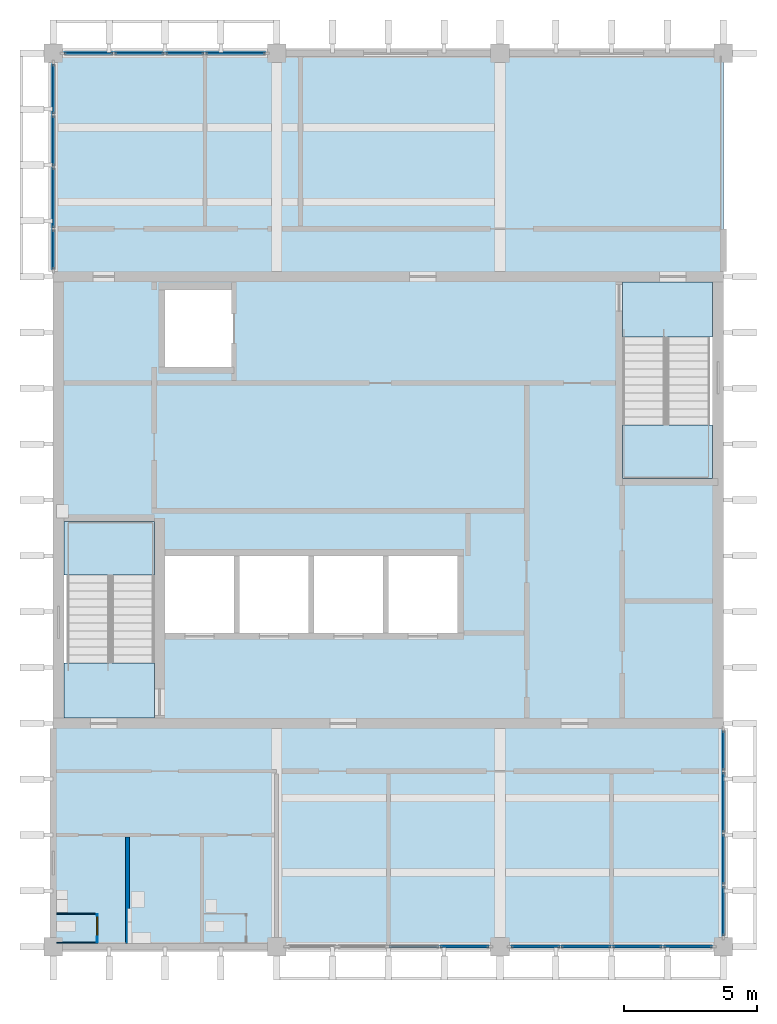
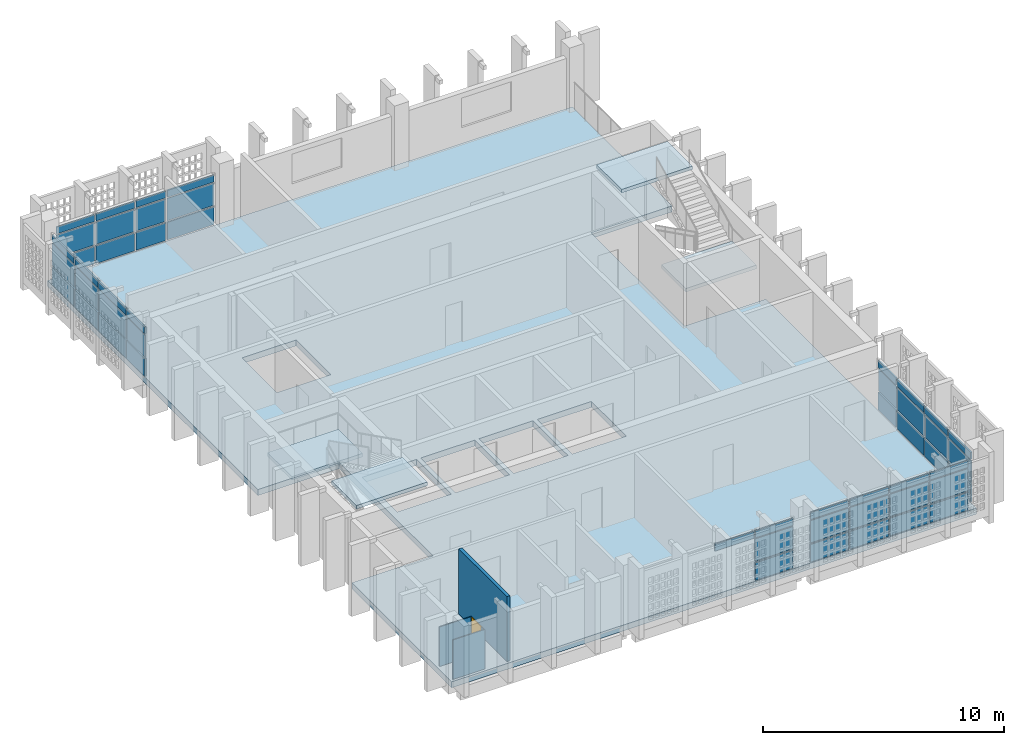
# One storey, part 3 of 13: 52 plates, 5 slabs, 4 walls, 1 door, 1 opening, 7 elements without a shape of their own.
"""IFC4 building model written with IfcOpenShell, lengths in metres."""

from ifc_helpers import new_model, si_unit, direction, frame, frame_2d, origin, origin_2d, place, context, subcontext, project, spatial, polyline, rectangle, outline, extrude, material, layer, layer_set, type_object, element, fill, aggregate, save


model = new_model("IFC4")

# Units and contexts
model_context = context("Model", 3, precision=1e-05, world=origin(), true_north=direction((0.0, 1.0)))
body_context = subcontext(model_context, "Body", "Model", "MODEL_VIEW")
ifc_project = project(units=[si_unit("LENGTHUNIT", "METRE"), si_unit("AREAUNIT", "SQUARE_METRE"), si_unit("VOLUMEUNIT", "CUBIC_METRE"), si_unit("PLANEANGLEUNIT", "RADIAN"), si_unit("MASSUNIT", "GRAM", prefix="KILO")], contexts=[model_context])

# Site, building, storey
site_placement = place(None, origin())
site = spatial("IfcSite", under=ifc_project, at=site_placement, CompositionType="ELEMENT")
building_placement = place(site_placement, origin())
building = spatial("IfcBuilding", under=site, at=building_placement, Name="Rulbaag Community and Learning Centre", CompositionType="ELEMENT")
storey_placement = place(building_placement, frame((0.0, 0.0, 54.0)))
storey = spatial("IfcBuildingStorey", under=building, at=storey_placement, Name="L14", CompositionType="ELEMENT", Elevation=54.0)

# Curtain wall, plates
ifc_material_1 = material(Name="Aluminium", Category="aluminium")
ifc_layer_1 = layer(ifc_material_1, 0.14990234375)
ifc_layer_set_1 = layer_set([ifc_layer_1], Name="CW-C")
curtain_wall_type = type_object("IfcCurtainWallType", Name="CW-C", PredefinedType="USERDEFINED", material=ifc_layer_set_1)
curtain_wall_1_placement = place(storey_placement, origin())
curtain_wall_1 = element("IfcCurtainWall", 1, at=curtain_wall_1_placement, inside=storey, type_object=curtain_wall_type, Name="GC-L14-01", ObjectType="UNITISED CURTAIN WALL", PredefinedType="USERDEFINED")
ifc_layer_2 = layer(ifc_material_1, 0.070068359375)
ifc_layer_set_2 = layer_set([ifc_layer_2], Name="CW-C-SPN")
plate_type_1 = type_object("IfcPlateType", Name="CW-C-SPN", PredefinedType="CURTAIN_PANEL", material=ifc_layer_set_2)
plate_1_placement = place(storey_placement, frame((156.362548828125, 84.0, 2.23486328125), z_axis=(0.0, 0.0, 1.0), x_axis=(1.0, 0.0, 0.0)))
plate_1 = element("IfcPlate", 2, at=plate_1_placement, type_object=plate_type_1, Name="GC spandrel panel", PredefinedType="CURTAIN_PANEL", context=body_context, shape_type="SweptSolid", body=[
    extrude(rectangle(XDim=1.85498046875, YDim=0.070068359375, at=origin_2d()), origin(), (0.0, 0.0, 1.0), 0.344970703125),
])
plate_2_placement = place(storey_placement, frame((158.27001953125, 84.0, 0.070068359375), z_axis=(0.0, 0.0, 1.0), x_axis=(1.0, 0.0, 0.0)))
plate_2 = element("IfcPlate", 3, at=plate_2_placement, type_object=plate_type_1, Name="GC spandrel panel", PredefinedType="CURTAIN_PANEL", context=body_context, shape_type="SweptSolid", body=[
    extrude(rectangle(XDim=1.820068359375, YDim=0.070068359375, at=origin_2d()), origin(), (0.0, 0.0, 1.0), 0.89501953125),
])
plate_3_placement = place(storey_placement, frame((158.27001953125, 84.0, 2.23486328125), z_axis=(0.0, 0.0, 1.0), x_axis=(1.0, 0.0, 0.0)))
plate_3 = element("IfcPlate", 4, at=plate_3_placement, type_object=plate_type_1, Name="GC spandrel panel", PredefinedType="CURTAIN_PANEL", context=body_context, shape_type="SweptSolid", body=[
    extrude(rectangle(XDim=1.820068359375, YDim=0.070068359375, at=origin_2d()), origin(), (0.0, 0.0, 1.0), 0.344970703125),
])

curtain_wall_2_placement = place(storey_placement, origin())
curtain_wall_2 = element("IfcCurtainWall", 5, at=curtain_wall_2_placement, inside=storey, type_object=curtain_wall_type, Name="GC-L14-02", ObjectType="UNITISED CURTAIN WALL", PredefinedType="USERDEFINED")
plate_4_placement = place(storey_placement, frame((160.929931640625, 84.0, 0.070068359375), z_axis=(0.0, 0.0, 1.0), x_axis=(1.0, 0.0, 0.0)))
plate_4 = element("IfcPlate", 6, at=plate_4_placement, type_object=plate_type_1, Name="GC spandrel panel", PredefinedType="CURTAIN_PANEL", context=body_context, shape_type="SweptSolid", body=[
    extrude(rectangle(XDim=1.820068359375, YDim=0.070068359375, at=origin_2d()), origin(), (0.0, 0.0, 1.0), 0.89501953125),
])
plate_5_placement = place(storey_placement, frame((160.929931640625, 84.0, 2.23486328125), z_axis=(0.0, 0.0, 1.0), x_axis=(1.0, 0.0, 0.0)))
plate_5 = element("IfcPlate", 7, at=plate_5_placement, type_object=plate_type_1, Name="GC spandrel panel", PredefinedType="CURTAIN_PANEL", context=body_context, shape_type="SweptSolid", body=[
    extrude(rectangle(XDim=1.820068359375, YDim=0.070068359375, at=origin_2d()), origin(), (0.0, 0.0, 1.0), 0.344970703125),
])
plate_6_placement = place(storey_placement, frame((162.83740234375, 84.0, 0.070068359375), z_axis=(0.0, 0.0, 1.0), x_axis=(1.0, 0.0, 0.0)))
plate_6 = element("IfcPlate", 8, at=plate_6_placement, type_object=plate_type_1, Name="GC spandrel panel", PredefinedType="CURTAIN_PANEL", context=body_context, shape_type="SweptSolid", body=[
    extrude(rectangle(XDim=1.85498046875, YDim=0.070068359375, at=origin_2d()), origin(), (0.0, 0.0, 1.0), 0.89501953125),
])
plate_7_placement = place(storey_placement, frame((162.83740234375, 84.0, 2.23486328125), z_axis=(0.0, 0.0, 1.0), x_axis=(1.0, 0.0, 0.0)))
plate_7 = element("IfcPlate", 9, at=plate_7_placement, type_object=plate_type_1, Name="GC spandrel panel", PredefinedType="CURTAIN_PANEL", context=body_context, shape_type="SweptSolid", body=[
    extrude(rectangle(XDim=1.85498046875, YDim=0.070068359375, at=origin_2d()), origin(), (0.0, 0.0, 1.0), 0.344970703125),
])
plate_8_placement = place(storey_placement, frame((164.762451171875, 84.0, 0.070068359375), z_axis=(0.0, 0.0, 1.0), x_axis=(1.0, 0.0, 0.0)))
plate_8 = element("IfcPlate", 10, at=plate_8_placement, type_object=plate_type_1, Name="GC spandrel panel", PredefinedType="CURTAIN_PANEL", context=body_context, shape_type="SweptSolid", body=[
    extrude(rectangle(XDim=1.85498046875, YDim=0.070068359375, at=origin_2d()), origin(), (0.0, 0.0, 1.0), 0.89501953125),
])
plate_9_placement = place(storey_placement, frame((164.762451171875, 84.0, 2.23486328125), z_axis=(0.0, 0.0, 1.0), x_axis=(1.0, 0.0, 0.0)))
plate_9 = element("IfcPlate", 11, at=plate_9_placement, type_object=plate_type_1, Name="GC spandrel panel", PredefinedType="CURTAIN_PANEL", context=body_context, shape_type="SweptSolid", body=[
    extrude(rectangle(XDim=1.85498046875, YDim=0.070068359375, at=origin_2d()), origin(), (0.0, 0.0, 1.0), 0.344970703125),
])
plate_10_placement = place(storey_placement, frame((166.669921875, 84.0, 0.070068359375), z_axis=(0.0, 0.0, 1.0), x_axis=(1.0, 0.0, 0.0)))
plate_10 = element("IfcPlate", 12, at=plate_10_placement, type_object=plate_type_1, Name="GC spandrel panel", PredefinedType="CURTAIN_PANEL", context=body_context, shape_type="SweptSolid", body=[
    extrude(rectangle(XDim=1.820068359375, YDim=0.070068359375, at=origin_2d()), origin(), (0.0, 0.0, 1.0), 0.89501953125),
])
plate_11_placement = place(storey_placement, frame((166.669921875, 84.0, 2.23486328125), z_axis=(0.0, 0.0, 1.0), x_axis=(1.0, 0.0, 0.0)))
plate_11 = element("IfcPlate", 13, at=plate_11_placement, type_object=plate_type_1, Name="GC spandrel panel", PredefinedType="CURTAIN_PANEL", context=body_context, shape_type="SweptSolid", body=[
    extrude(rectangle(XDim=1.820068359375, YDim=0.070068359375, at=origin_2d()), origin(), (0.0, 0.0, 1.0), 0.344970703125),
])

curtain_wall_3_placement = place(storey_placement, origin())
curtain_wall_3 = element("IfcCurtainWall", 14, at=curtain_wall_3_placement, inside=storey, type_object=curtain_wall_type, Name="GC-L14-03", ObjectType="UNITISED CURTAIN WALL", PredefinedType="USERDEFINED")
plate_12_placement = place(storey_placement, frame((144.1298828125, 117.60009765625, 0.070068359375), z_axis=(0.0, 0.0, 1.0), x_axis=(1.0, 0.0, 0.0)))
plate_12 = element("IfcPlate", 15, at=plate_12_placement, type_object=plate_type_1, Name="GC spandrel panel", PredefinedType="CURTAIN_PANEL", context=body_context, shape_type="SweptSolid", body=[
    extrude(rectangle(XDim=1.820068359375, YDim=0.070068359375, at=origin_2d()), origin(), (0.0, 0.0, 1.0), 0.89501953125),
])
plate_13_placement = place(storey_placement, frame((144.1298828125, 117.60009765625, 2.23486328125), z_axis=(0.0, 0.0, 1.0), x_axis=(1.0, 0.0, 0.0)))
plate_13 = element("IfcPlate", 16, at=plate_13_placement, type_object=plate_type_1, Name="GC spandrel panel", PredefinedType="CURTAIN_PANEL", context=body_context, shape_type="SweptSolid", body=[
    extrude(rectangle(XDim=1.820068359375, YDim=0.070068359375, at=origin_2d()), origin(), (0.0, 0.0, 1.0), 0.344970703125),
])
plate_14_placement = place(storey_placement, frame((146.03759765625, 117.60009765625, 0.070068359375), z_axis=(0.0, 0.0, 1.0), x_axis=(1.0, 0.0, 0.0)))
plate_14 = element("IfcPlate", 17, at=plate_14_placement, type_object=plate_type_1, Name="GC spandrel panel", PredefinedType="CURTAIN_PANEL", context=body_context, shape_type="SweptSolid", body=[
    extrude(rectangle(XDim=1.85498046875, YDim=0.070068359375, at=origin_2d()), origin(), (0.0, 0.0, 1.0), 0.89501953125),
])
plate_15_placement = place(storey_placement, frame((146.03759765625, 117.60009765625, 2.23486328125), z_axis=(0.0, 0.0, 1.0), x_axis=(1.0, 0.0, 0.0)))
plate_15 = element("IfcPlate", 18, at=plate_15_placement, type_object=plate_type_1, Name="GC spandrel panel", PredefinedType="CURTAIN_PANEL", context=body_context, shape_type="SweptSolid", body=[
    extrude(rectangle(XDim=1.85498046875, YDim=0.070068359375, at=origin_2d()), origin(), (0.0, 0.0, 1.0), 0.344970703125),
])
plate_16_placement = place(storey_placement, frame((147.75, 117.60009765625, 0.070068359375), z_axis=(0.0, 0.0, 1.0), x_axis=(1.0, 0.0, 0.0)))
plate_16 = element("IfcPlate", 19, at=plate_16_placement, type_object=plate_type_1, Name="GC spandrel panel", PredefinedType="CURTAIN_PANEL", context=body_context, shape_type="SweptSolid", body=[
    extrude(rectangle(XDim=1.429931640625, YDim=0.070068359375, at=origin_2d()), origin(), (0.0, 0.0, 1.0), 0.89501953125),
])
plate_17_placement = place(storey_placement, frame((147.75, 117.60009765625, 2.23486328125), z_axis=(0.0, 0.0, 1.0), x_axis=(1.0, 0.0, 0.0)))
plate_17 = element("IfcPlate", 20, at=plate_17_placement, type_object=plate_type_1, Name="GC spandrel panel", PredefinedType="CURTAIN_PANEL", context=body_context, shape_type="SweptSolid", body=[
    extrude(rectangle(XDim=1.429931640625, YDim=0.070068359375, at=origin_2d()), origin(), (0.0, 0.0, 1.0), 0.344970703125),
])
plate_18_placement = place(storey_placement, frame((149.657470703125, 117.60009765625, 0.070068359375), z_axis=(0.0, 0.0, 1.0), x_axis=(1.0, 0.0, 0.0)))
plate_18 = element("IfcPlate", 21, at=plate_18_placement, type_object=plate_type_1, Name="GC spandrel panel", PredefinedType="CURTAIN_PANEL", context=body_context, shape_type="SweptSolid", body=[
    extrude(rectangle(XDim=2.2451171875, YDim=0.070068359375, at=origin_2d()), origin(), (0.0, 0.0, 1.0), 0.89501953125),
])
plate_19_placement = place(storey_placement, frame((149.657470703125, 117.60009765625, 2.23486328125), z_axis=(0.0, 0.0, 1.0), x_axis=(1.0, 0.0, 0.0)))
plate_19 = element("IfcPlate", 22, at=plate_19_placement, type_object=plate_type_1, Name="GC spandrel panel", PredefinedType="CURTAIN_PANEL", context=body_context, shape_type="SweptSolid", body=[
    extrude(rectangle(XDim=2.2451171875, YDim=0.070068359375, at=origin_2d()), origin(), (0.0, 0.0, 1.0), 0.344970703125),
])

curtain_wall_4_placement = place(storey_placement, origin())
curtain_wall_4 = element("IfcCurtainWall", 23, at=curtain_wall_4_placement, inside=storey, type_object=curtain_wall_type, Name="GC-L14-04", ObjectType="UNITISED CURTAIN WALL", PredefinedType="USERDEFINED")
plate_20_placement = place(storey_placement, frame((142.800048828125, 110.217529296875, 0.070068359375), z_axis=(0.0, 0.0, 1.0), x_axis=(0.0, 1.0, 0.0)))
plate_20 = element("IfcPlate", 24, at=plate_20_placement, type_object=plate_type_1, Name="GC spandrel panel", PredefinedType="CURTAIN_PANEL", context=body_context, shape_type="SweptSolid", body=[
    extrude(rectangle(XDim=1.4951171875, YDim=0.070068359375, at=origin_2d()), origin(), (0.0, 0.0, 1.0), 0.89501953125),
])
plate_21_placement = place(storey_placement, frame((142.800048828125, 110.217529296875, 2.23486328125), z_axis=(0.0, 0.0, 1.0), x_axis=(0.0, 1.0, 0.0)))
plate_21 = element("IfcPlate", 25, at=plate_21_placement, type_object=plate_type_1, Name="GC spandrel panel", PredefinedType="CURTAIN_PANEL", context=body_context, shape_type="SweptSolid", body=[
    extrude(rectangle(XDim=1.4951171875, YDim=0.070068359375, at=origin_2d()), origin(), (0.0, 0.0, 1.0), 0.344970703125),
])
plate_22_placement = place(storey_placement, frame((142.800048828125, 112.16259765625, 0.070068359375), z_axis=(0.0, 0.0, 1.0), x_axis=(0.0, 1.0, 0.0)))
plate_22 = element("IfcPlate", 26, at=plate_22_placement, type_object=plate_type_1, Name="GC spandrel panel", PredefinedType="CURTAIN_PANEL", context=body_context, shape_type="SweptSolid", body=[
    extrude(rectangle(XDim=2.2548828125, YDim=0.070068359375, at=origin_2d()), origin(), (0.0, 0.0, 1.0), 0.89501953125),
])
plate_23_placement = place(storey_placement, frame((142.800048828125, 112.16259765625, 2.23486328125), z_axis=(0.0, 0.0, 1.0), x_axis=(0.0, 1.0, 0.0)))
plate_23 = element("IfcPlate", 27, at=plate_23_placement, type_object=plate_type_1, Name="GC spandrel panel", PredefinedType="CURTAIN_PANEL", context=body_context, shape_type="SweptSolid", body=[
    extrude(rectangle(XDim=2.2548828125, YDim=0.070068359375, at=origin_2d()), origin(), (0.0, 0.0, 1.0), 0.344970703125),
])
plate_24_placement = place(storey_placement, frame((142.800048828125, 114.30615234375, 0.070068359375), z_axis=(0.0, 0.0, 1.0), x_axis=(0.0, 1.0, 0.0)))
plate_24 = element("IfcPlate", 28, at=plate_24_placement, type_object=plate_type_1, Name="GC spandrel panel", PredefinedType="CURTAIN_PANEL", context=body_context, shape_type="SweptSolid", body=[
    extrude(rectangle(XDim=1.892578125, YDim=0.070068359375, at=origin_2d()), origin(), (0.0, 0.0, 1.0), 0.89501953125),
])
plate_25_placement = place(storey_placement, frame((142.800048828125, 114.30615234375, 2.23486328125), z_axis=(0.0, 0.0, 1.0), x_axis=(0.0, 1.0, 0.0)))
plate_25 = element("IfcPlate", 29, at=plate_25_placement, type_object=plate_type_1, Name="GC spandrel panel", PredefinedType="CURTAIN_PANEL", context=body_context, shape_type="SweptSolid", body=[
    extrude(rectangle(XDim=1.892578125, YDim=0.070068359375, at=origin_2d()), origin(), (0.0, 0.0, 1.0), 0.344970703125),
])
plate_26_placement = place(storey_placement, frame((142.800048828125, 116.251220703125, 0.070068359375), z_axis=(0.0, 0.0, 1.0), x_axis=(0.0, 1.0, 0.0)))
plate_26 = element("IfcPlate", 30, at=plate_26_placement, type_object=plate_type_1, Name="GC spandrel panel", PredefinedType="CURTAIN_PANEL", context=body_context, shape_type="SweptSolid", body=[
    extrude(rectangle(XDim=1.857421875, YDim=0.070068359375, at=origin_2d()), origin(), (0.0, 0.0, 1.0), 0.89501953125),
])
plate_27_placement = place(storey_placement, frame((142.800048828125, 116.251220703125, 2.23486328125), z_axis=(0.0, 0.0, 1.0), x_axis=(0.0, 1.0, 0.0)))
plate_27 = element("IfcPlate", 31, at=plate_27_placement, type_object=plate_type_1, Name="GC spandrel panel", PredefinedType="CURTAIN_PANEL", context=body_context, shape_type="SweptSolid", body=[
    extrude(rectangle(XDim=1.857421875, YDim=0.070068359375, at=origin_2d()), origin(), (0.0, 0.0, 1.0), 0.344970703125),
])

curtain_wall_5_placement = place(storey_placement, origin())
curtain_wall_5 = element("IfcCurtainWall", 32, at=curtain_wall_5_placement, inside=storey, type_object=curtain_wall_type, Name="GC-L14-05", ObjectType="UNITISED CURTAIN WALL", PredefinedType="USERDEFINED")
plate_28_placement = place(storey_placement, frame((168.0, 85.3486328125, 0.070068359375), z_axis=(0.0, 0.0, 1.0), x_axis=(0.0, 1.0, 0.0)))
plate_28 = element("IfcPlate", 33, at=plate_28_placement, type_object=plate_type_1, Name="GC spandrel panel", PredefinedType="CURTAIN_PANEL", context=body_context, shape_type="SweptSolid", body=[
    extrude(rectangle(XDim=1.857421875, YDim=0.070068359375, at=origin_2d()), origin(), (0.0, 0.0, 1.0), 0.89501953125),
])
plate_29_placement = place(storey_placement, frame((168.0, 85.3486328125, 2.23486328125), z_axis=(0.0, 0.0, 1.0), x_axis=(0.0, 1.0, 0.0)))
plate_29 = element("IfcPlate", 34, at=plate_29_placement, type_object=plate_type_1, Name="GC spandrel panel", PredefinedType="CURTAIN_PANEL", context=body_context, shape_type="SweptSolid", body=[
    extrude(rectangle(XDim=1.857421875, YDim=0.070068359375, at=origin_2d()), origin(), (0.0, 0.0, 1.0), 0.344970703125),
])
plate_30_placement = place(storey_placement, frame((168.0, 87.293701171875, 0.070068359375), z_axis=(0.0, 0.0, 1.0), x_axis=(0.0, 1.0, 0.0)))
plate_30 = element("IfcPlate", 35, at=plate_30_placement, type_object=plate_type_1, Name="GC spandrel panel", PredefinedType="CURTAIN_PANEL", context=body_context, shape_type="SweptSolid", body=[
    extrude(rectangle(XDim=1.892578125, YDim=0.070068359375, at=origin_2d()), origin(), (0.0, 0.0, 1.0), 0.89501953125),
])
plate_31_placement = place(storey_placement, frame((168.0, 87.293701171875, 2.23486328125), z_axis=(0.0, 0.0, 1.0), x_axis=(0.0, 1.0, 0.0)))
plate_31 = element("IfcPlate", 36, at=plate_31_placement, type_object=plate_type_1, Name="GC spandrel panel", PredefinedType="CURTAIN_PANEL", context=body_context, shape_type="SweptSolid", body=[
    extrude(rectangle(XDim=1.892578125, YDim=0.070068359375, at=origin_2d()), origin(), (0.0, 0.0, 1.0), 0.344970703125),
])
plate_32_placement = place(storey_placement, frame((168.0, 89.4375, 0.070068359375), z_axis=(0.0, 0.0, 1.0), x_axis=(0.0, 1.0, 0.0)))
plate_32 = element("IfcPlate", 37, at=plate_32_placement, type_object=plate_type_1, Name="GC spandrel panel", PredefinedType="CURTAIN_PANEL", context=body_context, shape_type="SweptSolid", body=[
    extrude(rectangle(XDim=2.2548828125, YDim=0.070068359375, at=origin_2d()), origin(), (0.0, 0.0, 1.0), 0.89501953125),
])
plate_33_placement = place(storey_placement, frame((168.0, 89.4375, 2.23486328125), z_axis=(0.0, 0.0, 1.0), x_axis=(0.0, 1.0, 0.0)))
plate_33 = element("IfcPlate", 38, at=plate_33_placement, type_object=plate_type_1, Name="GC spandrel panel", PredefinedType="CURTAIN_PANEL", context=body_context, shape_type="SweptSolid", body=[
    extrude(rectangle(XDim=2.2548828125, YDim=0.070068359375, at=origin_2d()), origin(), (0.0, 0.0, 1.0), 0.344970703125),
])
plate_34_placement = place(storey_placement, frame((168.0, 91.382568359375, 0.070068359375), z_axis=(0.0, 0.0, 1.0), x_axis=(0.0, 1.0, 0.0)))
plate_34 = element("IfcPlate", 39, at=plate_34_placement, type_object=plate_type_1, Name="GC spandrel panel", PredefinedType="CURTAIN_PANEL", context=body_context, shape_type="SweptSolid", body=[
    extrude(rectangle(XDim=1.4951171875, YDim=0.070068359375, at=origin_2d()), origin(), (0.0, 0.0, 1.0), 0.89501953125),
])
plate_35_placement = place(storey_placement, frame((168.0, 91.382568359375, 2.23486328125), z_axis=(0.0, 0.0, 1.0), x_axis=(0.0, 1.0, 0.0)))
plate_35 = element("IfcPlate", 40, at=plate_35_placement, type_object=plate_type_1, Name="GC spandrel panel", PredefinedType="CURTAIN_PANEL", context=body_context, shape_type="SweptSolid", body=[
    extrude(rectangle(XDim=1.4951171875, YDim=0.070068359375, at=origin_2d()), origin(), (0.0, 0.0, 1.0), 0.344970703125),
])

# Plate
ifc_material_2 = material(Name="Glass", Category="glass")
ifc_layer_3 = layer(ifc_material_2, 0.035888671875)
ifc_layer_set_3 = layer_set([ifc_layer_3], Name="CW-C-VIS")
plate_type_2 = type_object("IfcPlateType", Name="CW-C-VIS", PredefinedType="CURTAIN_PANEL", material=ifc_layer_set_3)
plate_36_placement = place(storey_placement, frame((158.27001953125, 84.0, 1.03515625), z_axis=(0.0, 0.0, 1.0), x_axis=(1.0, 0.0, 0.0)))
plate_36 = element("IfcPlate", 41, at=plate_36_placement, type_object=plate_type_2, Name="GC vision panel", PredefinedType="CURTAIN_PANEL", context=body_context, shape_type="SweptSolid", body=[
    extrude(rectangle(XDim=1.820068359375, YDim=0.035888671875, at=origin_2d()), origin(), (0.0, 0.0, 1.0), 1.1298828125),
])

aggregate(curtain_wall_1, [plate_1, plate_2, plate_36, plate_3])

plate_37_placement = place(storey_placement, frame((160.929931640625, 84.0, 1.03515625), z_axis=(0.0, 0.0, 1.0), x_axis=(1.0, 0.0, 0.0)))
plate_37 = element("IfcPlate", 42, at=plate_37_placement, type_object=plate_type_2, Name="GC vision panel", PredefinedType="CURTAIN_PANEL", context=body_context, shape_type="SweptSolid", body=[
    extrude(rectangle(XDim=1.820068359375, YDim=0.035888671875, at=origin_2d()), origin(), (0.0, 0.0, 1.0), 1.1298828125),
])

plate_38_placement = place(storey_placement, frame((162.83740234375, 84.0, 1.03515625), z_axis=(0.0, 0.0, 1.0), x_axis=(1.0, 0.0, 0.0)))
plate_38 = element("IfcPlate", 43, at=plate_38_placement, type_object=plate_type_2, Name="GC vision panel", PredefinedType="CURTAIN_PANEL", context=body_context, shape_type="SweptSolid", body=[
    extrude(rectangle(XDim=1.85498046875, YDim=0.035888671875, at=origin_2d()), origin(), (0.0, 0.0, 1.0), 1.1298828125),
])

plate_39_placement = place(storey_placement, frame((164.762451171875, 84.0, 1.03515625), z_axis=(0.0, 0.0, 1.0), x_axis=(1.0, 0.0, 0.0)))
plate_39 = element("IfcPlate", 44, at=plate_39_placement, type_object=plate_type_2, Name="GC vision panel", PredefinedType="CURTAIN_PANEL", context=body_context, shape_type="SweptSolid", body=[
    extrude(rectangle(XDim=1.85498046875, YDim=0.035888671875, at=origin_2d()), origin(), (0.0, 0.0, 1.0), 1.1298828125),
])

plate_40_placement = place(storey_placement, frame((166.669921875, 84.0, 1.03515625), z_axis=(0.0, 0.0, 1.0), x_axis=(1.0, 0.0, 0.0)))
plate_40 = element("IfcPlate", 45, at=plate_40_placement, type_object=plate_type_2, Name="GC vision panel", PredefinedType="CURTAIN_PANEL", context=body_context, shape_type="SweptSolid", body=[
    extrude(rectangle(XDim=1.820068359375, YDim=0.035888671875, at=origin_2d()), origin(), (0.0, 0.0, 1.0), 1.1298828125),
])

aggregate(curtain_wall_2, [plate_4, plate_37, plate_5, plate_6, plate_38, plate_7, plate_8, plate_39, plate_9, plate_10, plate_40, plate_11])

plate_41_placement = place(storey_placement, frame((144.1298828125, 117.60009765625, 1.03515625), z_axis=(0.0, 0.0, 1.0), x_axis=(1.0, 0.0, 0.0)))
plate_41 = element("IfcPlate", 46, at=plate_41_placement, type_object=plate_type_2, Name="GC vision panel", PredefinedType="CURTAIN_PANEL", context=body_context, shape_type="SweptSolid", body=[
    extrude(rectangle(XDim=1.820068359375, YDim=0.035888671875, at=origin_2d()), origin(), (0.0, 0.0, 1.0), 1.1298828125),
])

plate_42_placement = place(storey_placement, frame((146.03759765625, 117.60009765625, 1.03515625), z_axis=(0.0, 0.0, 1.0), x_axis=(1.0, 0.0, 0.0)))
plate_42 = element("IfcPlate", 47, at=plate_42_placement, type_object=plate_type_2, Name="GC vision panel", PredefinedType="CURTAIN_PANEL", context=body_context, shape_type="SweptSolid", body=[
    extrude(rectangle(XDim=1.85498046875, YDim=0.035888671875, at=origin_2d()), origin(), (0.0, 0.0, 1.0), 1.1298828125),
])

plate_43_placement = place(storey_placement, frame((147.75, 117.60009765625, 1.03515625), z_axis=(0.0, 0.0, 1.0), x_axis=(1.0, 0.0, 0.0)))
plate_43 = element("IfcPlate", 48, at=plate_43_placement, type_object=plate_type_2, Name="GC vision panel", PredefinedType="CURTAIN_PANEL", context=body_context, shape_type="SweptSolid", body=[
    extrude(rectangle(XDim=1.429931640625, YDim=0.035888671875, at=origin_2d()), origin(), (0.0, 0.0, 1.0), 1.1298828125),
])

plate_44_placement = place(storey_placement, frame((149.657470703125, 117.60009765625, 1.03515625), z_axis=(0.0, 0.0, 1.0), x_axis=(1.0, 0.0, 0.0)))
plate_44 = element("IfcPlate", 49, at=plate_44_placement, type_object=plate_type_2, Name="GC vision panel", PredefinedType="CURTAIN_PANEL", context=body_context, shape_type="SweptSolid", body=[
    extrude(rectangle(XDim=2.2451171875, YDim=0.035888671875, at=origin_2d()), origin(), (0.0, 0.0, 1.0), 1.1298828125),
])

aggregate(curtain_wall_3, [plate_12, plate_41, plate_13, plate_14, plate_42, plate_15, plate_16, plate_43, plate_17, plate_18, plate_44, plate_19])

plate_45_placement = place(storey_placement, frame((142.800048828125, 110.217529296875, 1.03515625), z_axis=(0.0, 0.0, 1.0), x_axis=(0.0, 1.0, 0.0)))
plate_45 = element("IfcPlate", 50, at=plate_45_placement, type_object=plate_type_2, Name="GC vision panel", PredefinedType="CURTAIN_PANEL", context=body_context, shape_type="SweptSolid", body=[
    extrude(rectangle(XDim=1.4951171875, YDim=0.035888671875, at=origin_2d()), origin(), (0.0, 0.0, 1.0), 1.1298828125),
])

plate_46_placement = place(storey_placement, frame((142.800048828125, 112.16259765625, 1.03515625), z_axis=(0.0, 0.0, 1.0), x_axis=(0.0, 1.0, 0.0)))
plate_46 = element("IfcPlate", 51, at=plate_46_placement, type_object=plate_type_2, Name="GC vision panel", PredefinedType="CURTAIN_PANEL", context=body_context, shape_type="SweptSolid", body=[
    extrude(rectangle(XDim=2.2548828125, YDim=0.035888671875, at=origin_2d()), origin(), (0.0, 0.0, 1.0), 1.1298828125),
])

plate_47_placement = place(storey_placement, frame((142.800048828125, 114.30615234375, 1.03515625), z_axis=(0.0, 0.0, 1.0), x_axis=(0.0, 1.0, 0.0)))
plate_47 = element("IfcPlate", 52, at=plate_47_placement, type_object=plate_type_2, Name="GC vision panel", PredefinedType="CURTAIN_PANEL", context=body_context, shape_type="SweptSolid", body=[
    extrude(rectangle(XDim=1.892578125, YDim=0.035888671875, at=origin_2d()), origin(), (0.0, 0.0, 1.0), 1.1298828125),
])

plate_48_placement = place(storey_placement, frame((142.800048828125, 116.251220703125, 1.03515625), z_axis=(0.0, 0.0, 1.0), x_axis=(0.0, 1.0, 0.0)))
plate_48 = element("IfcPlate", 53, at=plate_48_placement, type_object=plate_type_2, Name="GC vision panel", PredefinedType="CURTAIN_PANEL", context=body_context, shape_type="SweptSolid", body=[
    extrude(rectangle(XDim=1.857421875, YDim=0.035888671875, at=origin_2d()), origin(), (0.0, 0.0, 1.0), 1.1298828125),
])

aggregate(curtain_wall_4, [plate_20, plate_45, plate_21, plate_22, plate_46, plate_23, plate_24, plate_47, plate_25, plate_26, plate_48, plate_27])

plate_49_placement = place(storey_placement, frame((168.0, 85.3486328125, 1.03515625), z_axis=(0.0, 0.0, 1.0), x_axis=(0.0, 1.0, 0.0)))
plate_49 = element("IfcPlate", 54, at=plate_49_placement, type_object=plate_type_2, Name="GC vision panel", PredefinedType="CURTAIN_PANEL", context=body_context, shape_type="SweptSolid", body=[
    extrude(rectangle(XDim=1.857421875, YDim=0.035888671875, at=origin_2d()), origin(), (0.0, 0.0, 1.0), 1.1298828125),
])

plate_50_placement = place(storey_placement, frame((168.0, 87.293701171875, 1.03515625), z_axis=(0.0, 0.0, 1.0), x_axis=(0.0, 1.0, 0.0)))
plate_50 = element("IfcPlate", 55, at=plate_50_placement, type_object=plate_type_2, Name="GC vision panel", PredefinedType="CURTAIN_PANEL", context=body_context, shape_type="SweptSolid", body=[
    extrude(rectangle(XDim=1.892578125, YDim=0.035888671875, at=origin_2d()), origin(), (0.0, 0.0, 1.0), 1.1298828125),
])

plate_51_placement = place(storey_placement, frame((168.0, 89.4375, 1.03515625), z_axis=(0.0, 0.0, 1.0), x_axis=(0.0, 1.0, 0.0)))
plate_51 = element("IfcPlate", 56, at=plate_51_placement, type_object=plate_type_2, Name="GC vision panel", PredefinedType="CURTAIN_PANEL", context=body_context, shape_type="SweptSolid", body=[
    extrude(rectangle(XDim=2.2548828125, YDim=0.035888671875, at=origin_2d()), origin(), (0.0, 0.0, 1.0), 1.1298828125),
])

plate_52_placement = place(storey_placement, frame((168.0, 91.382568359375, 1.03515625), z_axis=(0.0, 0.0, 1.0), x_axis=(0.0, 1.0, 0.0)))
plate_52 = element("IfcPlate", 57, at=plate_52_placement, type_object=plate_type_2, Name="GC vision panel", PredefinedType="CURTAIN_PANEL", context=body_context, shape_type="SweptSolid", body=[
    extrude(rectangle(XDim=1.4951171875, YDim=0.035888671875, at=origin_2d()), origin(), (0.0, 0.0, 1.0), 1.1298828125),
])

aggregate(curtain_wall_5, [plate_28, plate_49, plate_29, plate_30, plate_50, plate_31, plate_32, plate_51, plate_33, plate_34, plate_52, plate_35])

# Stair, slabs
ifc_material_3 = material(Name="Concrete M40", Category="concrete")
stair_type = type_object("IfcStairType", Name="ST-1650 STAIR 1650 WIDE", PredefinedType="HALF_TURN_STAIR", material=ifc_material_3)
stair_1_placement = place(storey_placement, origin())
stair_1 = element("IfcStair", 58, at=stair_1_placement, inside=storey, type_object=stair_type, Name="Stair ST1 L14", PredefinedType="HALF_TURN_STAIR")
ifc_layer_4 = layer(ifc_material_3, 0.179931640625)
ifc_layer_set_4 = layer_set([ifc_layer_4], Name="LN-180 LANDING 180 Concrete M40")
slab_type_1 = type_object("IfcSlabType", Name="LN-180 LANDING 180 Concrete M40", PredefinedType="LANDING", material=ifc_layer_set_4)
slab_1_placement = place(storey_placement, frame((0.0, 0.0, 1.6201171875)))
slab_1 = element("IfcSlab", 59, at=slab_1_placement, type_object=slab_type_1, Name="ST1 landing 1", PredefinedType="LANDING", context=body_context, shape_type="SweptSolid", body=[
    extrude(outline(polyline([(143.199951171875, 97.97509765625), (143.199951171875, 100.0), (146.60009765625, 100.0), (146.60009765625, 97.97509765625), (143.199951171875, 97.97509765625)])), origin(), (0.0, 0.0, 1.0), 0.179931640625),
])
slab_2_placement = place(storey_placement, frame((0.0, 0.0, 3.419921875)))
slab_2 = element("IfcSlab", 60, at=slab_2_placement, type_object=slab_type_1, Name="ST1 landing 2", PredefinedType="LANDING", context=body_context, shape_type="SweptSolid", body=[
    extrude(outline(polyline([(143.199951171875, 92.60009765625), (143.199951171875, 94.675048828125), (146.60009765625, 94.675048828125), (146.60009765625, 92.60009765625), (143.199951171875, 92.60009765625)])), origin(), (0.0, 0.0, 1.0), 0.18017578125),
])
aggregate(stair_1, [slab_1, slab_2])

stair_2_placement = place(storey_placement, origin())
stair_2 = element("IfcStair", 61, at=stair_2_placement, inside=storey, type_object=stair_type, Name="Stair ST2 L14", PredefinedType="HALF_TURN_STAIR")
slab_3_placement = place(storey_placement, frame((0.0, 0.0, 1.6201171875)))
slab_3 = element("IfcSlab", 62, at=slab_3_placement, type_object=slab_type_1, Name="ST2 landing 1", PredefinedType="LANDING", context=body_context, shape_type="SweptSolid", body=[
    extrude(outline(polyline([(164.199951171875, 101.60009765625), (164.199951171875, 103.625), (167.60009765625, 103.625), (167.60009765625, 101.60009765625), (164.199951171875, 101.60009765625)])), origin(), (0.0, 0.0, 1.0), 0.179931640625),
])
slab_4_placement = place(storey_placement, frame((0.0, 0.0, 3.419921875)))
slab_4 = element("IfcSlab", 63, at=slab_4_placement, type_object=slab_type_1, Name="ST2 landing 2", PredefinedType="LANDING", context=body_context, shape_type="SweptSolid", body=[
    extrude(outline(polyline([(164.199951171875, 106.925048828125), (164.199951171875, 109.0), (167.60009765625, 109.0), (167.60009765625, 106.925048828125), (164.199951171875, 106.925048828125)])), origin(), (0.0, 0.0, 1.0), 0.18017578125),
])
aggregate(stair_2, [slab_3, slab_4])

# Slab
ifc_layer_5 = layer(ifc_material_3, 0.300048828125)
ifc_layer_set_5 = layer_set([ifc_layer_5], Name="S5 Floor slab 300 Concrete M40")
slab_type_2 = type_object("IfcSlabType", Name="S5 Floor slab 300 Concrete M40", PredefinedType="FLOOR", material=ifc_layer_set_5)
slab_5_placement = place(storey_placement, frame((0.0, 0.0, -0.300048828125)))
element("IfcSlab", 64, at=slab_5_placement, inside=storey, type_object=slab_type_2, Name="SL-L14-B01", PredefinedType="FLOOR", context=body_context, shape_type="SweptSolid", body=[
    extrude(outline(polyline([(168.0, 84.0), (142.800048828125, 84.0), (142.800048828125, 92.300048828125), (146.699951171875, 92.300048828125), (146.699951171875, 100.10009765625), (142.800048828125, 100.10009765625), (142.800048828125, 117.60009765625), (168.0, 117.60009765625), (168.0, 109.300048828125), (164.10009765625, 109.300048828125), (164.10009765625, 101.5), (168.0, 101.5), (168.0, 84.0)]), holes=[polyline([(147.0, 98.699951171875), (147.0, 95.800048828125), (149.60009765625, 95.800048828125), (149.60009765625, 98.699951171875), (147.0, 98.699951171875)]), polyline([(149.800048828125, 98.699951171875), (149.800048828125, 95.800048828125), (152.39990234375, 95.800048828125), (152.39990234375, 98.699951171875), (149.800048828125, 98.699951171875)]), polyline([(152.60009765625, 98.699951171875), (152.60009765625, 95.800048828125), (155.199951171875, 95.800048828125), (155.199951171875, 98.699951171875), (152.60009765625, 98.699951171875)]), polyline([(155.39990234375, 98.699951171875), (155.39990234375, 95.800048828125), (158.0, 95.800048828125), (158.0, 98.699951171875), (155.39990234375, 98.699951171875)]), polyline([(147.0, 108.699951171875), (147.0, 105.800048828125), (149.60009765625, 105.800048828125), (149.60009765625, 108.699951171875), (147.0, 108.699951171875)])]), origin(), (0.0, 0.0, 1.0), 0.300048828125),
])

# Walls
ifc_material_4 = material(Name="High pressure laminate", Category="wood")
ifc_layer_6 = layer(ifc_material_4, 0.0400390625)
ifc_layer_set_6 = layer_set([ifc_layer_6], Name="CP-40")
wall_type_1 = type_object("IfcWallType", Name="CP-40", PredefinedType="PARTITIONING", material=ifc_layer_set_6)
wall_1_placement = place(storey_placement, frame((142.929931640625, 84.14501953125, 0.0), z_axis=(0.0, 0.0, 1.0), x_axis=(1.0, 0.0, 0.0)))
element("IfcWall", 65, at=wall_1_placement, inside=storey, type_object=wall_type_1, Name="Cubicle partition", PredefinedType="PARTITIONING", context=body_context, shape_type="SweptSolid", body=[
    extrude(rectangle(XDim=1.5400390625, YDim=0.0400390625, at=frame_2d((0.77001953125, 0.0))), origin(), (0.0, 0.0, 1.0), 2.0),
])
wall_2_placement = place(storey_placement, frame((142.925048828125, 85.239990234375, 0.0), z_axis=(0.0, 0.0, 1.0), x_axis=(1.0, 0.0, 0.0)))
element("IfcWall", 66, at=wall_2_placement, inside=storey, type_object=wall_type_1, Name="Cubicle partition", PredefinedType="PARTITIONING", context=body_context, shape_type="SweptSolid", body=[
    extrude(rectangle(XDim=1.544921875, YDim=0.0400390625, at=frame_2d((0.7724609375, 0.0))), origin(), (0.0, 0.0, 1.0), 2.0),
])

# Wall, opening, door
wall_3_placement = place(storey_placement, frame((144.449951171875, 84.1650390625, 0.0), z_axis=(0.0, 0.0, 1.0), x_axis=(0.0, 1.0, 0.0)))
wall_3 = element("IfcWall", 67, at=wall_3_placement, inside=storey, type_object=wall_type_1, Name="Cubicle partition", PredefinedType="PARTITIONING", context=body_context, shape_type="SweptSolid", body=[
    extrude(rectangle(XDim=1.054931640625, YDim=0.0400390625, at=frame_2d((0.52734375, 0.0))), origin(), (0.0, 0.0, 1.0), 2.0),
])
opening_placement = place(wall_3_placement, frame((0.205078125, 0.0, 0.0)))
opening = element("IfcOpeningElement", 68, at=opening_placement, cuts=wall_3, Name="Opening L14-D002", PredefinedType="OPENING", context=body_context, shape_type="SweptSolid", body=[
    extrude(rectangle(XDim=0.800048828125, YDim=2.0, at=frame_2d((0.39990234375, 1.0))), frame((0.0, 0.030029296875, 0.0), z_axis=(0.0, -1.0, 0.0), x_axis=(1.0, 0.0, 0.0)), (0.0, 0.0, 1.0), 0.06005859375),
])
door_type = type_object("IfcDoorType", Name="DC-80", OperationType="SINGLE_SWING_LEFT", PredefinedType="DOOR", material=ifc_material_4)
door_placement = place(opening_placement, origin())
door = element("IfcDoor", 69, at=door_placement, inside=storey, type_object=door_type, Name="Cubicle door", OperationType="SINGLE_SWING_LEFT", OverallHeight=2.0, OverallWidth=0.800048828125, PredefinedType="DOOR", context=body_context, shape_type="SweptSolid", body=[
    extrude(rectangle(XDim=0.800048828125, YDim=2.0, at=frame_2d((0.39990234375, 1.0))), frame((0.0, 0.019775390625, 0.0), z_axis=(0.0, -1.0, 0.0), x_axis=(1.0, 0.0, 0.0)), (0.0, 0.0, 1.0), 0.03955078125),
])
fill(opening, door)

# Wall
ifc_material_5 = material(Name="Concrete blockwork", Category="masonry")
ifc_layer_7 = layer(ifc_material_5, 0.14990234375)
ifc_layer_set_7 = layer_set([ifc_layer_7], Name="IP-150 PARTITION 150")
wall_type_2 = type_object("IfcWallType", Name="IP-150 PARTITION 150", PredefinedType="PARTITIONING", material=ifc_layer_set_7)
wall_4_placement = place(storey_placement, frame((145.60009765625, 84.125, 0.0), z_axis=(0.0, 0.0, 1.0), x_axis=(0.0, 1.0, 0.0)))
element("IfcWall", 70, at=wall_4_placement, inside=storey, type_object=wall_type_2, Name="Partition L14 11", PredefinedType="PARTITIONING", context=body_context, shape_type="SweptSolid", body=[
    extrude(rectangle(XDim=4.0, YDim=0.14990234375, at=frame_2d((2.0, 0.0))), origin(), (0.0, 0.0, 1.0), 3.300048828125),
])

save(model, "model.ifc")
